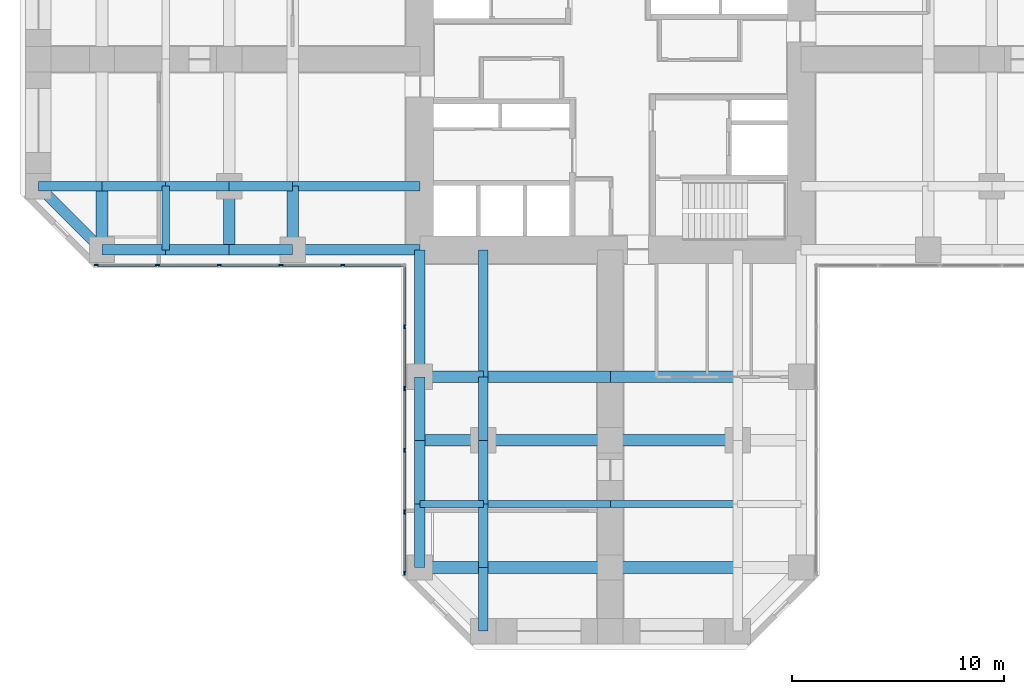
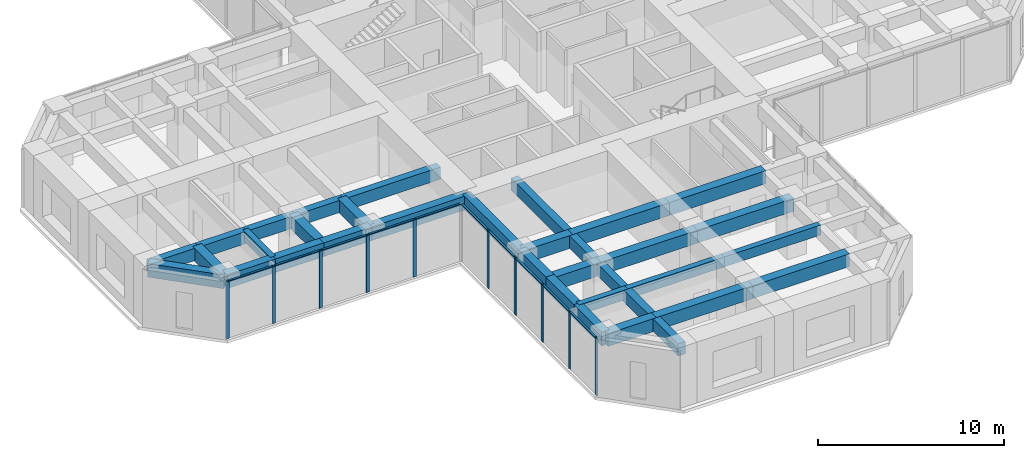
# One storey, part 2 of 12: 35 beams, 20 members, 2 elements without a shape of their own.
"""IFC4 building model written with IfcOpenShell, lengths in metres."""

from ifc_helpers import new_model, si_unit, direction, frame, origin, origin_2d, place, context, subcontext, project, spatial, rectangle, extrude, material, material_profile, profile_set, type_object, element, aggregate, save


model = new_model("IFC4")

# Units and contexts
model_context = context("Model", 3, precision=1e-05, world=origin(), true_north=direction((0.0, 1.0)))
body_context = subcontext(model_context, "Body", "Model", "MODEL_VIEW")
ifc_project = project(units=[si_unit("LENGTHUNIT", "METRE"), si_unit("AREAUNIT", "SQUARE_METRE"), si_unit("VOLUMEUNIT", "CUBIC_METRE"), si_unit("PLANEANGLEUNIT", "RADIAN"), si_unit("MASSUNIT", "GRAM", prefix="KILO")], contexts=[model_context])

# Site, building, storey
site_placement = place(None, origin())
site = spatial("IfcSite", under=ifc_project, at=site_placement, CompositionType="ELEMENT")
building_placement = place(site_placement, origin())
building = spatial("IfcBuilding", under=site, at=building_placement, Name="Torre Cruceta", CompositionType="ELEMENT")
storey_placement = place(building_placement, frame((0.0, 0.0, 67.5)))
storey = spatial("IfcBuildingStorey", under=building, at=storey_placement, Name="L16", CompositionType="ELEMENT", Elevation=67.5)

# Beams
ifc_material_1 = material(Name="Concrete G60 (fck 60 MPa)", Category="concrete")
ifc_material_profile_1 = material_profile(ifc_material_1, rectangle(XDim=0.449951171875, YDim=0.800048828125, at=origin_2d()), Name="RC 450X800")
ifc_profile_set_1 = profile_set([ifc_material_profile_1], Name="Concrete G60 (fck 60 MPa)")
beam_type_1 = type_object("IfcBeamType", Name="COLUMN LINE BEAM RC 450X800", PredefinedType="BEAM", material=ifc_profile_set_1)
beam_1_placement = place(storey_placement, frame((-6.0, -9.0, 3.39990234375), z_axis=(0.0, -1.0, 0.0), x_axis=(1.0, 0.0, 0.0)))
element("IfcBeam", 1, at=beam_1_placement, inside=storey, type_object=beam_type_1, Name="LB1 L16 S col- 1", PredefinedType="BEAM", context=body_context, shape_type="SweptSolid", body=[
    extrude(rectangle(XDim=0.449951171875, YDim=0.800048828125, at=origin_2d()), origin(), (0.0, 0.0, 1.0), 6.0),
])
for number, where, z_axis, x_axis, name in (
    (2, (-6.0, -15.0, 3.39990234375), (0.0, -1.0, 0.0), (1.0, 0.0, 0.0), "LB1 L16 S col- 2"),
    (3, (-6.0, -18.0, 3.39990234375), (0.0, -1.0, 0.0), (1.0, 0.0, 0.0), "LB1 L16 S col- 3"),
    (4, (-6.0, -21.0, 3.39990234375), (0.0, -1.0, 0.0), (1.0, 0.0, 0.0), "LB1 L16 S col- 4"),
    (5, (-6.0, -24.0, 3.39990234375), (0.0, -1.0, 0.0), (1.0, 0.0, 0.0), "LB1 L16 S col- 5"),
):
    element("IfcBeam", number, at=place(storey_placement, frame(where, z_axis=z_axis, x_axis=x_axis)), inside=storey, type_object=beam_type_1, Name=name, PredefinedType="BEAM", context=body_context, shape_type="SweptSolid", body=[
        extrude(rectangle(XDim=0.449951171875, YDim=0.800048828125, at=origin_2d()), origin(), (0.0, 0.0, 1.0), 3.0),
    ])
beam_2_placement = place(storey_placement, frame((-9.0, -6.0, 3.39990234375), z_axis=(-1.0, 0.0, 0.0), x_axis=(0.0, -1.0, 0.0)))
element("IfcBeam", 6, at=beam_2_placement, inside=storey, type_object=beam_type_1, Name="LB1 L16 W col+ 1", PredefinedType="BEAM", context=body_context, shape_type="SweptSolid", body=[
    extrude(rectangle(XDim=0.449951171875, YDim=0.800048828125, at=origin_2d()), origin(), (0.0, 0.0, 1.0), 6.0),
])
for number, where, z_axis, x_axis, name in (
    (7, (-15.0, -6.0, 3.39990234375), (-1.0, 0.0, 0.0), (0.0, -1.0, 0.0), "LB1 L16 W col+ 2"),
    (8, (-18.0, -6.0, 3.39990234375), (-1.0, 0.0, 0.0), (0.0, -1.0, 0.0), "LB1 L16 W col+ 3"),
    (9, (-21.0, -6.0, 3.39990234375), (-1.0, 0.0, 0.0), (0.0, -1.0, 0.0), "LB1 L16 W col+ 4"),
    (10, (-24.0, -6.0, 3.39990234375), (-1.0, 0.0, 0.0), (0.0, -1.0, 0.0), "LB1 L16 W col+ 5"),
):
    element("IfcBeam", number, at=place(storey_placement, frame(where, z_axis=z_axis, x_axis=x_axis)), inside=storey, type_object=beam_type_1, Name=name, PredefinedType="BEAM", context=body_context, shape_type="SweptSolid", body=[
        extrude(rectangle(XDim=0.449951171875, YDim=0.800048828125, at=origin_2d()), origin(), (0.0, 0.0, 1.0), 3.0),
    ])
ifc_material_2 = material(Name="Concrete G60 (fck 60 MPa)", Category="concrete")
ifc_material_profile_2 = material_profile(ifc_material_2, rectangle(XDim=0.550048828125, YDim=0.85009765625, at=origin_2d()), Name="RC 550X850")
ifc_profile_set_2 = profile_set([ifc_material_profile_2], Name="Concrete G60 (fck 60 MPa)")
beam_type_2 = type_object("IfcBeamType", Name="CROSS BEAM RC 550X850", PredefinedType="BEAM", material=ifc_profile_set_2)
beam_3_placement = place(storey_placement, frame((-9.0, -15.0, 3.375), z_axis=(1.0, 0.0, 0.0), x_axis=(0.0, 1.0, 0.0)))
element("IfcBeam", 11, at=beam_3_placement, inside=storey, type_object=beam_type_2, Name="GB4 L16 S cross15 1", PredefinedType="BEAM", context=body_context, shape_type="SweptSolid", body=[
    extrude(rectangle(XDim=0.550048828125, YDim=0.85009765625, at=origin_2d()), origin(), (0.0, 0.0, 1.0), 3.0),
])
for number, where, z_axis, x_axis, name in (
    (12, (-6.0, -15.0, 3.375), (1.0, 0.0, 0.0), (0.0, 1.0, 0.0), "GB4 L16 S cross15 2"),
    (13, (0.0, -15.0, 3.375), (1.0, 0.0, 0.0), (0.0, 1.0, 0.0), "GB4 L16 S cross15 3"),
):
    element("IfcBeam", number, at=place(storey_placement, frame(where, z_axis=z_axis, x_axis=x_axis)), inside=storey, type_object=beam_type_2, Name=name, PredefinedType="BEAM", context=body_context, shape_type="SweptSolid", body=[
        extrude(rectangle(XDim=0.550048828125, YDim=0.85009765625, at=origin_2d()), origin(), (0.0, 0.0, 1.0), 6.0),
    ])
beam_4_placement = place(storey_placement, frame((-9.0, -18.0, 3.375), z_axis=(1.0, 0.0, 0.0), x_axis=(0.0, 1.0, 0.0)))
element("IfcBeam", 14, at=beam_4_placement, inside=storey, type_object=beam_type_2, Name="GB4 L16 S cross18 1", PredefinedType="BEAM", context=body_context, shape_type="SweptSolid", body=[
    extrude(rectangle(XDim=0.550048828125, YDim=0.85009765625, at=origin_2d()), origin(), (0.0, 0.0, 1.0), 3.0),
])
for number, where, z_axis, x_axis, name in (
    (15, (-6.0, -18.0, 3.375), (1.0, 0.0, 0.0), (0.0, 1.0, 0.0), "GB4 L16 S cross18 2"),
    (16, (0.0, -18.0, 3.375), (1.0, 0.0, 0.0), (0.0, 1.0, 0.0), "GB4 L16 S cross18 3"),
):
    element("IfcBeam", number, at=place(storey_placement, frame(where, z_axis=z_axis, x_axis=x_axis)), inside=storey, type_object=beam_type_2, Name=name, PredefinedType="BEAM", context=body_context, shape_type="SweptSolid", body=[
        extrude(rectangle(XDim=0.550048828125, YDim=0.85009765625, at=origin_2d()), origin(), (0.0, 0.0, 1.0), 6.0),
    ])
beam_5_placement = place(storey_placement, frame((-9.0, -24.0, 3.375), z_axis=(1.0, 0.0, 0.0), x_axis=(0.0, 1.0, 0.0)))
element("IfcBeam", 17, at=beam_5_placement, inside=storey, type_object=beam_type_2, Name="GB4 L16 S cross24 1", PredefinedType="BEAM", context=body_context, shape_type="SweptSolid", body=[
    extrude(rectangle(XDim=0.550048828125, YDim=0.85009765625, at=origin_2d()), origin(), (0.0, 0.0, 1.0), 3.0),
])
for number, where, z_axis, x_axis, name in (
    (18, (-6.0, -24.0, 3.375), (1.0, 0.0, 0.0), (0.0, 1.0, 0.0), "GB4 L16 S cross24 2"),
    (19, (0.0, -24.0, 3.375), (1.0, 0.0, 0.0), (0.0, 1.0, 0.0), "GB4 L16 S cross24 3"),
):
    element("IfcBeam", number, at=place(storey_placement, frame(where, z_axis=z_axis, x_axis=x_axis)), inside=storey, type_object=beam_type_2, Name=name, PredefinedType="BEAM", context=body_context, shape_type="SweptSolid", body=[
        extrude(rectangle(XDim=0.550048828125, YDim=0.85009765625, at=origin_2d()), origin(), (0.0, 0.0, 1.0), 6.0),
    ])
for number, where, z_axis, x_axis, name in (
    (20, (-15.0, -6.0, 3.375), (0.0, -1.0, 0.0), (1.0, 0.0, 0.0), "GB4 L16 W cross15 4"),
    (21, (-18.0, -6.0, 3.375), (0.0, -1.0, 0.0), (1.0, 0.0, 0.0), "GB4 L16 W cross18 4"),
    (22, (-24.0, -6.0, 3.375), (0.0, -1.0, 0.0), (1.0, 0.0, 0.0), "GB4 L16 W cross24 4"),
):
    element("IfcBeam", number, at=place(storey_placement, frame(where, z_axis=z_axis, x_axis=x_axis)), inside=storey, type_object=beam_type_2, Name=name, PredefinedType="BEAM", context=body_context, shape_type="SweptSolid", body=[
        extrude(rectangle(XDim=0.550048828125, YDim=0.85009765625, at=origin_2d()), origin(), (0.0, 0.0, 1.0), 3.0),
    ])

# Curtain wall, members
ifc_material_3 = material(Name="Aluminium unitised curtain wall", Category="aluminium")
curtain_wall_type = type_object("IfcCurtainWallType", Name="CURTAIN WALL CW-A OFFICE LOW RISE", PredefinedType="USERDEFINED", material=ifc_material_3)
curtain_wall_1_placement = place(storey_placement, origin())
curtain_wall_1 = element("IfcCurtainWall", 23, at=curtain_wall_1_placement, inside=storey, type_object=curtain_wall_type, Name="CW-A L16 W side 14", ObjectType="UNITISED", PredefinedType="USERDEFINED")
ifc_material_4 = material(Name="Aluminium mullion", Category="aluminium")
ifc_material_profile_3 = material_profile(ifc_material_4, rectangle(XDim=0.06494140625, YDim=0.199951171875, at=origin_2d()), Name="AL 65X200")
ifc_profile_set_3 = profile_set([ifc_material_profile_3], Name="Aluminium mullion")
member_type_1 = type_object("IfcMemberType", Name="CW-A MULLION 65X200", PredefinedType="MULLION", material=ifc_profile_set_3)
member_1_placement = place(storey_placement, frame((-24.265625, -9.719970703125, 0.0), z_axis=(0.0, 0.0, 1.0), x_axis=(0.0, 1.0, 0.0)))
member_1 = element("IfcMember", 24, at=member_1_placement, type_object=member_type_1, Name="CW-A mullion 1", PredefinedType="MULLION", context=body_context, shape_type="SweptSolid", body=[
    extrude(rectangle(XDim=0.06494140625, YDim=0.199951171875, at=origin_2d()), origin(), (0.0, 0.0, 1.0), 3.800048828125),
])
member_2_placement = place(storey_placement, frame((-21.382568359375, -9.719970703125, 0.0), z_axis=(0.0, 0.0, 1.0), x_axis=(0.0, 1.0, 0.0)))
member_2 = element("IfcMember", 25, at=member_2_placement, type_object=member_type_1, Name="CW-A mullion 2", PredefinedType="MULLION", context=body_context, shape_type="SweptSolid", body=[
    extrude(rectangle(XDim=0.06494140625, YDim=0.199951171875, at=origin_2d()), origin(), (0.0, 0.0, 1.0), 3.800048828125),
])
member_3_placement = place(storey_placement, frame((-18.467041015625, -9.719970703125, 0.0), z_axis=(0.0, 0.0, 1.0), x_axis=(0.0, 1.0, 0.0)))
member_3 = element("IfcMember", 26, at=member_3_placement, type_object=member_type_1, Name="CW-A mullion 3", PredefinedType="MULLION", context=body_context, shape_type="SweptSolid", body=[
    extrude(rectangle(XDim=0.06494140625, YDim=0.199951171875, at=origin_2d()), origin(), (0.0, 0.0, 1.0), 3.800048828125),
])
member_4_placement = place(storey_placement, frame((-15.55126953125, -9.719970703125, 0.0), z_axis=(0.0, 0.0, 1.0), x_axis=(0.0, 1.0, 0.0)))
member_4 = element("IfcMember", 27, at=member_4_placement, type_object=member_type_1, Name="CW-A mullion 4", PredefinedType="MULLION", context=body_context, shape_type="SweptSolid", body=[
    extrude(rectangle(XDim=0.06494140625, YDim=0.199951171875, at=origin_2d()), origin(), (0.0, 0.0, 1.0), 3.800048828125),
])
member_5_placement = place(storey_placement, frame((-12.6357421875, -9.719970703125, 0.0), z_axis=(0.0, 0.0, 1.0), x_axis=(0.0, 1.0, 0.0)))
member_5 = element("IfcMember", 28, at=member_5_placement, type_object=member_type_1, Name="CW-A mullion 5", PredefinedType="MULLION", context=body_context, shape_type="SweptSolid", body=[
    extrude(rectangle(XDim=0.06494140625, YDim=0.199951171875, at=origin_2d()), origin(), (0.0, 0.0, 1.0), 3.800048828125),
])

curtain_wall_2_placement = place(storey_placement, origin())
curtain_wall_2 = element("IfcCurtainWall", 29, at=curtain_wall_2_placement, inside=storey, type_object=curtain_wall_type, Name="CW-A L16 S side 15", ObjectType="UNITISED", PredefinedType="USERDEFINED")
member_6_placement = place(storey_placement, frame((-9.719970703125, -12.6357421875, 0.0), z_axis=(0.0, 0.0, 1.0), x_axis=(1.0, 0.0, 0.0)))
member_6 = element("IfcMember", 30, at=member_6_placement, type_object=member_type_1, Name="CW-A mullion 2", PredefinedType="MULLION", context=body_context, shape_type="SweptSolid", body=[
    extrude(rectangle(XDim=0.06494140625, YDim=0.199951171875, at=origin_2d()), origin(), (0.0, 0.0, 1.0), 3.800048828125),
])
member_7_placement = place(storey_placement, frame((-9.719970703125, -15.55126953125, 0.0), z_axis=(0.0, 0.0, 1.0), x_axis=(1.0, 0.0, 0.0)))
member_7 = element("IfcMember", 31, at=member_7_placement, type_object=member_type_1, Name="CW-A mullion 3", PredefinedType="MULLION", context=body_context, shape_type="SweptSolid", body=[
    extrude(rectangle(XDim=0.06494140625, YDim=0.199951171875, at=origin_2d()), origin(), (0.0, 0.0, 1.0), 3.800048828125),
])
member_8_placement = place(storey_placement, frame((-9.719970703125, -18.467041015625, 0.0), z_axis=(0.0, 0.0, 1.0), x_axis=(1.0, 0.0, 0.0)))
member_8 = element("IfcMember", 32, at=member_8_placement, type_object=member_type_1, Name="CW-A mullion 4", PredefinedType="MULLION", context=body_context, shape_type="SweptSolid", body=[
    extrude(rectangle(XDim=0.06494140625, YDim=0.199951171875, at=origin_2d()), origin(), (0.0, 0.0, 1.0), 3.800048828125),
])
member_9_placement = place(storey_placement, frame((-9.719970703125, -21.382568359375, 0.0), z_axis=(0.0, 0.0, 1.0), x_axis=(1.0, 0.0, 0.0)))
member_9 = element("IfcMember", 33, at=member_9_placement, type_object=member_type_1, Name="CW-A mullion 5", PredefinedType="MULLION", context=body_context, shape_type="SweptSolid", body=[
    extrude(rectangle(XDim=0.06494140625, YDim=0.199951171875, at=origin_2d()), origin(), (0.0, 0.0, 1.0), 3.800048828125),
])
member_10_placement = place(storey_placement, frame((-9.719970703125, -24.265625, 0.0), z_axis=(0.0, 0.0, 1.0), x_axis=(1.0, 0.0, 0.0)))
member_10 = element("IfcMember", 34, at=member_10_placement, type_object=member_type_1, Name="CW-A mullion 6", PredefinedType="MULLION", context=body_context, shape_type="SweptSolid", body=[
    extrude(rectangle(XDim=0.06494140625, YDim=0.199951171875, at=origin_2d()), origin(), (0.0, 0.0, 1.0), 3.800048828125),
])

# Member
ifc_material_5 = material(Name="Aluminium transom", Category="aluminium")
ifc_material_profile_4 = material_profile(ifc_material_5, rectangle(XDim=0.1201171875, YDim=0.06494140625, at=origin_2d()), Name="AL 120X65")
ifc_profile_set_4 = profile_set([ifc_material_profile_4], Name="Aluminium transom")
member_type_2 = type_object("IfcMemberType", Name="CW-A TRANSOM 65X120", PredefinedType="USERDEFINED", material=ifc_profile_set_4)
member_11_placement = place(storey_placement, frame((-24.233154296875, -9.719970703125, 3.767578125), z_axis=(1.0, 0.0, 0.0), x_axis=(0.0, 1.0, 0.0)))
member_11 = element("IfcMember", 35, at=member_11_placement, type_object=member_type_2, Name="CW-A transom 1", ObjectType="TRANSOM", PredefinedType="USERDEFINED", context=body_context, shape_type="SweptSolid", body=[
    extrude(rectangle(XDim=0.1201171875, YDim=0.06494140625, at=origin_2d()), origin(), (0.0, 0.0, 1.0), 2.818115234375),
])

member_12_placement = place(storey_placement, frame((-21.35009765625, -9.719970703125, 3.767578125), z_axis=(1.0, 0.0, 0.0), x_axis=(0.0, 1.0, 0.0)))
member_12 = element("IfcMember", 36, at=member_12_placement, type_object=member_type_2, Name="CW-A transom 2", ObjectType="TRANSOM", PredefinedType="USERDEFINED", context=body_context, shape_type="SweptSolid", body=[
    extrude(rectangle(XDim=0.1201171875, YDim=0.06494140625, at=origin_2d()), origin(), (0.0, 0.0, 1.0), 2.8505859375),
])

member_13_placement = place(storey_placement, frame((-18.434326171875, -9.719970703125, 3.767578125), z_axis=(1.0, 0.0, 0.0), x_axis=(0.0, 1.0, 0.0)))
member_13 = element("IfcMember", 37, at=member_13_placement, type_object=member_type_2, Name="CW-A transom 3", ObjectType="TRANSOM", PredefinedType="USERDEFINED", context=body_context, shape_type="SweptSolid", body=[
    extrude(rectangle(XDim=0.1201171875, YDim=0.06494140625, at=origin_2d()), origin(), (0.0, 0.0, 1.0), 2.8505859375),
])

member_14_placement = place(storey_placement, frame((-15.518798828125, -9.719970703125, 3.767578125), z_axis=(1.0, 0.0, 0.0), x_axis=(0.0, 1.0, 0.0)))
member_14 = element("IfcMember", 38, at=member_14_placement, type_object=member_type_2, Name="CW-A transom 4", ObjectType="TRANSOM", PredefinedType="USERDEFINED", context=body_context, shape_type="SweptSolid", body=[
    extrude(rectangle(XDim=0.1201171875, YDim=0.06494140625, at=origin_2d()), origin(), (0.0, 0.0, 1.0), 2.8505859375),
])

member_15_placement = place(storey_placement, frame((-12.60302734375, -9.719970703125, 3.767578125), z_axis=(1.0, 0.0, 0.0), x_axis=(0.0, 1.0, 0.0)))
member_15 = element("IfcMember", 39, at=member_15_placement, type_object=member_type_2, Name="CW-A transom 5", ObjectType="TRANSOM", PredefinedType="USERDEFINED", context=body_context, shape_type="SweptSolid", body=[
    extrude(rectangle(XDim=0.1201171875, YDim=0.06494140625, at=origin_2d()), origin(), (0.0, 0.0, 1.0), 2.818115234375),
])

aggregate(curtain_wall_1, [member_1, member_2, member_3, member_4, member_5, member_11, member_12, member_13, member_14, member_15])

member_16_placement = place(storey_placement, frame((-9.719970703125, -9.784912109375, 3.767578125), z_axis=(0.0, -1.0, 0.0), x_axis=(1.0, 0.0, 0.0)))
member_16 = element("IfcMember", 40, at=member_16_placement, type_object=member_type_2, Name="CW-A transom 1", ObjectType="TRANSOM", PredefinedType="USERDEFINED", context=body_context, shape_type="SweptSolid", body=[
    extrude(rectangle(XDim=0.1201171875, YDim=0.06494140625, at=origin_2d()), origin(), (0.0, 0.0, 1.0), 2.818115234375),
])

member_17_placement = place(storey_placement, frame((-9.719970703125, -12.668212890625, 3.767578125), z_axis=(0.0, -1.0, 0.0), x_axis=(1.0, 0.0, 0.0)))
member_17 = element("IfcMember", 41, at=member_17_placement, type_object=member_type_2, Name="CW-A transom 2", ObjectType="TRANSOM", PredefinedType="USERDEFINED", context=body_context, shape_type="SweptSolid", body=[
    extrude(rectangle(XDim=0.1201171875, YDim=0.06494140625, at=origin_2d()), origin(), (0.0, 0.0, 1.0), 2.8505859375),
])

member_18_placement = place(storey_placement, frame((-9.719970703125, -15.583740234375, 3.767578125), z_axis=(0.0, -1.0, 0.0), x_axis=(1.0, 0.0, 0.0)))
member_18 = element("IfcMember", 42, at=member_18_placement, type_object=member_type_2, Name="CW-A transom 3", ObjectType="TRANSOM", PredefinedType="USERDEFINED", context=body_context, shape_type="SweptSolid", body=[
    extrude(rectangle(XDim=0.1201171875, YDim=0.06494140625, at=origin_2d()), origin(), (0.0, 0.0, 1.0), 2.8505859375),
])

member_19_placement = place(storey_placement, frame((-9.719970703125, -18.49951171875, 3.767578125), z_axis=(0.0, -1.0, 0.0), x_axis=(1.0, 0.0, 0.0)))
member_19 = element("IfcMember", 43, at=member_19_placement, type_object=member_type_2, Name="CW-A transom 4", ObjectType="TRANSOM", PredefinedType="USERDEFINED", context=body_context, shape_type="SweptSolid", body=[
    extrude(rectangle(XDim=0.1201171875, YDim=0.06494140625, at=origin_2d()), origin(), (0.0, 0.0, 1.0), 2.8505859375),
])

member_20_placement = place(storey_placement, frame((-9.719970703125, -21.4150390625, 3.767578125), z_axis=(0.0, -1.0, 0.0), x_axis=(1.0, 0.0, 0.0)))
member_20 = element("IfcMember", 44, at=member_20_placement, type_object=member_type_2, Name="CW-A transom 5", ObjectType="TRANSOM", PredefinedType="USERDEFINED", context=body_context, shape_type="SweptSolid", body=[
    extrude(rectangle(XDim=0.1201171875, YDim=0.06494140625, at=origin_2d()), origin(), (0.0, 0.0, 1.0), 2.818115234375),
])

aggregate(curtain_wall_2, [member_6, member_7, member_8, member_9, member_10, member_16, member_17, member_18, member_19, member_20])

# Beams
ifc_material_6 = material(Name="Concrete G60 (fck 60 MPa)", Category="concrete")
ifc_material_profile_5 = material_profile(ifc_material_6, rectangle(XDim=0.35009765625, YDim=0.64990234375, at=origin_2d()), Name="RC 350X650")
ifc_profile_set_5 = profile_set([ifc_material_profile_5], Name="Concrete G60 (fck 60 MPa)")
beam_type_3 = type_object("IfcBeamType", Name="SECONDARY BEAM RC 350X650", PredefinedType="JOIST", material=ifc_profile_set_5)
beam_6_placement = place(storey_placement, frame((-9.0, -21.0, 3.47509765625), z_axis=(1.0, 0.0, 0.0), x_axis=(0.0, 1.0, 0.0)))
element("IfcBeam", 45, at=beam_6_placement, inside=storey, type_object=beam_type_3, Name="JB3 L16 S sec21 1", PredefinedType="JOIST", context=body_context, shape_type="SweptSolid", body=[
    extrude(rectangle(XDim=0.35009765625, YDim=0.64990234375, at=origin_2d()), origin(), (0.0, 0.0, 1.0), 3.0),
])
for number, where, z_axis, x_axis, name in (
    (46, (-6.0, -21.0, 3.47509765625), (1.0, 0.0, 0.0), (0.0, 1.0, 0.0), "JB3 L16 S sec21 2"),
    (47, (0.0, -21.0, 3.47509765625), (1.0, 0.0, 0.0), (0.0, 1.0, 0.0), "JB3 L16 S sec21 3"),
):
    element("IfcBeam", number, at=place(storey_placement, frame(where, z_axis=z_axis, x_axis=x_axis)), inside=storey, type_object=beam_type_3, Name=name, PredefinedType="JOIST", context=body_context, shape_type="SweptSolid", body=[
        extrude(rectangle(XDim=0.35009765625, YDim=0.64990234375, at=origin_2d()), origin(), (0.0, 0.0, 1.0), 6.0),
    ])
beam_7_placement = place(storey_placement, frame((-21.0, -6.0, 3.47509765625), z_axis=(0.0, -1.0, 0.0), x_axis=(1.0, 0.0, 0.0)))
element("IfcBeam", 48, at=beam_7_placement, inside=storey, type_object=beam_type_3, Name="JB3 L16 W sec21 4", PredefinedType="JOIST", context=body_context, shape_type="SweptSolid", body=[
    extrude(rectangle(XDim=0.35009765625, YDim=0.64990234375, at=origin_2d()), origin(), (0.0, 0.0, 1.0), 3.0),
])
ifc_material_7 = material(Name="Concrete G60 (fck 60 MPa)", Category="concrete")
ifc_material_profile_6 = material_profile(ifc_material_7, rectangle(XDim=0.5, YDim=0.89990234375, at=origin_2d()), Name="RC 500X900")
ifc_profile_set_6 = profile_set([ifc_material_profile_6], Name="Concrete G60 (fck 60 MPa)")
beam_type_4 = type_object("IfcBeamType", Name="SPANDREL BEAM RC 500X900", PredefinedType="SPANDREL", material=ifc_profile_set_6)
beam_8_placement = place(storey_placement, frame((-9.0, -9.0, 3.35009765625), z_axis=(0.0, -1.0, 0.0), x_axis=(1.0, 0.0, 0.0)))
element("IfcBeam", 49, at=beam_8_placement, inside=storey, type_object=beam_type_4, Name="SB4 L16 S side- 1", PredefinedType="SPANDREL", context=body_context, shape_type="SweptSolid", body=[
    extrude(rectangle(XDim=0.5, YDim=0.89990234375, at=origin_2d()), origin(), (0.0, 0.0, 1.0), 6.0),
])
for number, where, z_axis, x_axis, name in (
    (50, (-9.0, -15.0, 3.35009765625), (0.0, -1.0, 0.0), (1.0, 0.0, 0.0), "SB4 L16 S side- 2"),
    (51, (-9.0, -18.0, 3.35009765625), (0.0, -1.0, 0.0), (1.0, 0.0, 0.0), "SB4 L16 S side- 3"),
    (52, (-9.0, -21.0, 3.35009765625), (0.0, -1.0, 0.0), (1.0, 0.0, 0.0), "SB4 L16 S side- 4"),
):
    element("IfcBeam", number, at=place(storey_placement, frame(where, z_axis=z_axis, x_axis=x_axis)), inside=storey, type_object=beam_type_4, Name=name, PredefinedType="SPANDREL", context=body_context, shape_type="SweptSolid", body=[
        extrude(rectangle(XDim=0.5, YDim=0.89990234375, at=origin_2d()), origin(), (0.0, 0.0, 1.0), 3.0),
    ])
beam_9_placement = place(storey_placement, frame((-9.0, -9.0, 3.35009765625), z_axis=(-1.0, 0.0, 0.0), x_axis=(0.0, -1.0, 0.0)))
element("IfcBeam", 53, at=beam_9_placement, inside=storey, type_object=beam_type_4, Name="SB4 L16 W side+ 1", PredefinedType="SPANDREL", context=body_context, shape_type="SweptSolid", body=[
    extrude(rectangle(XDim=0.5, YDim=0.89990234375, at=origin_2d()), origin(), (0.0, 0.0, 1.0), 6.0),
])
for number, where, z_axis, x_axis, name in (
    (54, (-15.0, -9.0, 3.35009765625), (-1.0, 0.0, 0.0), (0.0, -1.0, 0.0), "SB4 L16 W side+ 2"),
    (55, (-18.0, -9.0, 3.35009765625), (-1.0, 0.0, 0.0), (0.0, -1.0, 0.0), "SB4 L16 W side+ 3"),
    (56, (-21.0, -9.0, 3.35009765625), (-1.0, 0.0, 0.0), (0.0, -1.0, 0.0), "SB4 L16 W side+ 4"),
):
    element("IfcBeam", number, at=place(storey_placement, frame(where, z_axis=z_axis, x_axis=x_axis)), inside=storey, type_object=beam_type_4, Name=name, PredefinedType="SPANDREL", context=body_context, shape_type="SweptSolid", body=[
        extrude(rectangle(XDim=0.5, YDim=0.89990234375, at=origin_2d()), origin(), (0.0, 0.0, 1.0), 3.0),
    ])
beam_10_placement = place(storey_placement, frame((-24.0, -9.0, 3.35009765625), z_axis=(-0.707106781187, 0.707106781187, 0.0), x_axis=(-0.707106781187, -0.707106781187, 0.0)))
element("IfcBeam", 57, at=beam_10_placement, inside=storey, type_object=beam_type_4, Name="SB4 L16 W side+ 5", PredefinedType="SPANDREL", context=body_context, shape_type="SweptSolid", body=[
    extrude(rectangle(XDim=0.5, YDim=0.89990234375, at=origin_2d()), origin(), (0.0, 0.0, 1.0), 4.24267578125),
])

save(model, "model.ifc")
